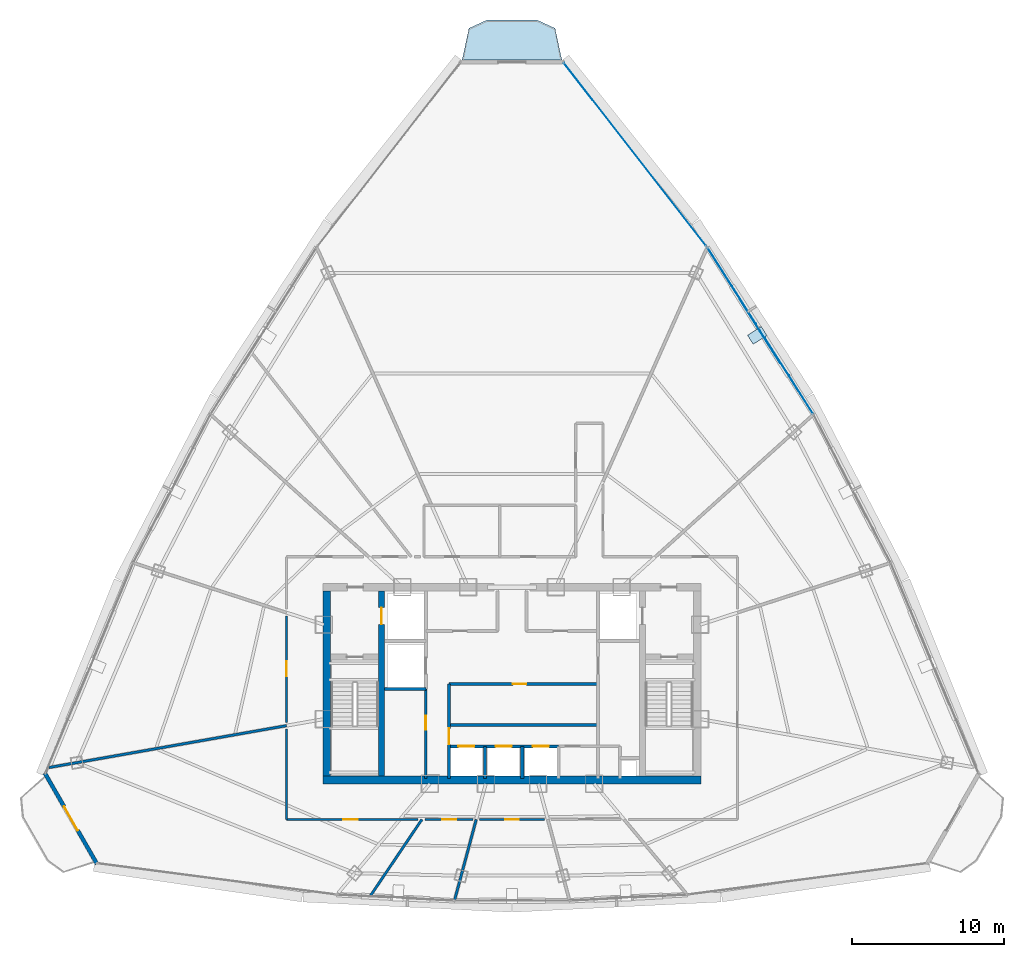
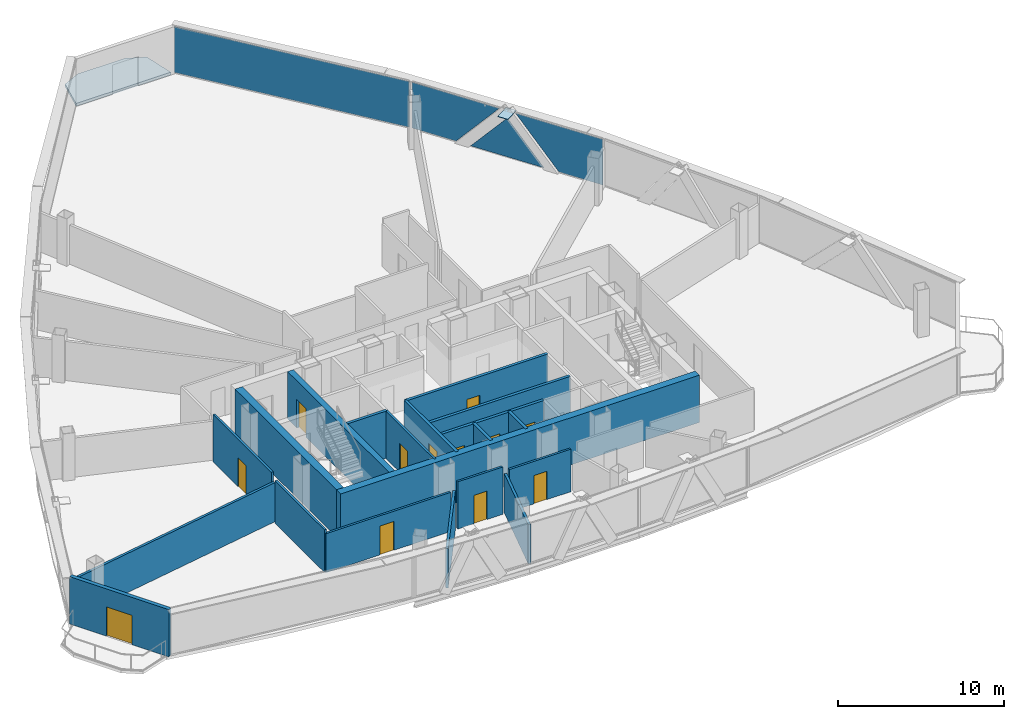
# One storey, part 28 of 33: 20 walls, 12 doors, 5 plates, 1 slab, 12 openings, 2 elements without a shape of their own.
"""IFC4 building model written with IfcOpenShell, lengths in metres."""

from ifc_helpers import new_model, si_unit, direction, frame, frame_2d, origin, origin_with_axes, origin_2d, place, context, subcontext, project, spatial, polyline, rectangle, outline, extrude, source, transform, mapped, material, layer, layer_set, type_object, element, fill, aggregate, save


model = new_model("IFC4")

# Units and contexts
model_context = context("Model", 3, precision=1e-05, world=origin(), true_north=direction((0.0, 1.0)))
body_context = subcontext(model_context, "Body", "Model", "MODEL_VIEW")
ifc_project = project(units=[si_unit("LENGTHUNIT", "METRE"), si_unit("AREAUNIT", "SQUARE_METRE"), si_unit("VOLUMEUNIT", "CUBIC_METRE"), si_unit("PLANEANGLEUNIT", "RADIAN"), si_unit("MASSUNIT", "GRAM", prefix="KILO"), si_unit("THERMODYNAMICTEMPERATUREUNIT", "KELVIN"), si_unit("POWERUNIT", "WATT")], contexts=[model_context])

# Site, building, storey
site_placement = place(None, origin())
site = spatial("IfcSite", under=ifc_project, at=site_placement, CompositionType="ELEMENT")
building_placement = place(site_placement, origin())
building = spatial("IfcBuilding", under=site, at=building_placement, Name="Yunzhuo Pagoda Commons", CompositionType="ELEMENT")
storey_placement = place(building_placement, frame((0.0, 0.0, 307.39990234375)))
storey = spatial("IfcBuildingStorey", under=building, at=storey_placement, Name="L77", CompositionType="ELEMENT", Elevation=307.39990234375)

# Curtain wall, plates
ifc_material_1 = material(Name="Anodized aluminium 6063-T6", Category="aluminium")
ifc_layer_1 = layer(ifc_material_1, 0.139892578125)
ifc_layer_set_1 = layer_set([ifc_layer_1], Name="Anodized aluminium 6063-T6")
curtain_wall_type = type_object("IfcCurtainWallType", Name="CW-HI High-Zone Ribbon Curtain Wall", PredefinedType="NOTDEFINED", material=ifc_layer_set_1)
curtain_wall_1_placement = place(storey_placement, origin())
curtain_wall_1 = element("IfcCurtainWall", 1, at=curtain_wall_1_placement, inside=storey, type_object=curtain_wall_type, Name="L77 curtain wall CW-L77-F2B4", PredefinedType="NOTDEFINED")
ifc_material_2 = material(Name="Tempered low-e double glazing", Category="glass")
ifc_layer_2 = layer(ifc_material_2, 0.02587890625)
ifc_layer_set_2 = layer_set([ifc_layer_2], Name="Tempered low-e double glazing")
plate_type_1 = type_object("IfcPlateType", Name="CW-HI-P Low-E Double Glazing 26", PredefinedType="CURTAIN_PANEL", material=ifc_layer_set_2)
plate_1_placement = place(storey_placement, frame((66.233642578125, 54.121826171875, 1.735107421875), z_axis=(0.843909804597, 0.536485080599, 0.0), x_axis=(-0.536485080599, 0.843909804597, 0.0)))
plate_1 = element("IfcPlate", 2, at=plate_1_placement, type_object=plate_type_1, Name="CW panel 1.1 lite 1", PredefinedType="CURTAIN_PANEL", context=body_context, shape_type="SweptSolid", body=[
    extrude(outline(polyline([(-2.955078125, -1.679931640625), (0.01708984375, -1.679931640625), (2.954833984375, 1.679931640625), (-2.955078125, 1.679931640625), (-2.955078125, -1.679931640625)])), origin(), (0.0, 0.0, 1.0), 0.028076171875),
])
plate_2_placement = place(storey_placement, frame((64.326416015625, 57.06591796875, 1.473876953125), z_axis=(0.843909804597, 0.536485080599, 0.0), x_axis=(-0.536485080599, 0.843909804597, 0.0)))
plate_2 = element("IfcPlate", 3, at=plate_2_placement, type_object=plate_type_1, Name="CW panel 1.1 lite 2", PredefinedType="CURTAIN_PANEL", context=body_context, shape_type="SweptSolid", body=[
    extrude(outline(polyline([(-2.481201171875, -1.4189453125), (2.481201171875, -1.4189453125), (0.0, 1.4189453125), (-2.481201171875, -1.4189453125)])), origin(), (0.0, 0.0, 1.0), 0.028076171875),
])
plate_3_placement = place(storey_placement, frame((62.469970703125, 60.042236328125, 1.735107421875), z_axis=(0.843909804597, 0.536485080599, 0.0), x_axis=(-0.536485080599, 0.843909804597, 0.0)))
plate_3 = element("IfcPlate", 4, at=plate_3_placement, type_object=plate_type_1, Name="CW panel 1.1 lite 3", PredefinedType="CURTAIN_PANEL", context=body_context, shape_type="SweptSolid", body=[
    extrude(outline(polyline([(-2.954833984375, 1.679931640625), (-0.01708984375, -1.679931640625), (2.954833984375, -1.679931640625), (2.954833984375, 1.679931640625), (-2.954833984375, 1.679931640625)])), origin(), (0.0, 0.0, 1.0), 0.028076171875),
])
aggregate(curtain_wall_1, [plate_1, plate_2, plate_3])

# Slab
ifc_material_3 = material(Name="Concrete C40", Category="concrete")
ifc_layer_3 = layer(ifc_material_3, 0.199951171875)
ifc_layer_set_3 = layer_set([ifc_layer_3], Name="Concrete C40")
slab_type = type_object("IfcSlabType", Name="SL-BAL Vertex Balcony Deck Slab 200", PredefinedType="FLOOR", material=ifc_layer_set_3)
slab_placement = place(storey_placement, frame((0.0, 0.0, -0.199951171875)))
element("IfcSlab", 5, at=slab_placement, inside=storey, type_object=slab_type, Name="L77 corner balcony V3", PredefinedType="FLOOR", context=body_context, shape_type="SweptSolid", body=[
    extrude(outline(polyline([(51.287841796875, 74.923095703125), (44.712158203125, 74.923095703125), (45.162109375, 77.01806640625), (46.356201171875, 77.568115234375), (49.643798828125, 77.568115234375), (50.837890625, 77.01806640625), (51.287841796875, 74.923095703125)])), origin(), (0.0, 0.0, 1.0), 0.199951171875),
])

# Plate
ifc_material_4 = material(Name="Structural steel Q355B", Category="steel")
ifc_layer_4 = layer(ifc_material_4, 0.028076171875)
ifc_layer_set_4 = layer_set([ifc_layer_4], Name="Structural steel Q355B")
plate_type_2 = type_object("IfcPlateType", Name="SP-ND1 Lattice Node Cap Plate 800x500x28", PredefinedType="USERDEFINED", material=ifc_layer_set_4)
shared_shape_1 = source(origin(), body_context, "Body", "SweptSolid", [
    extrude(rectangle(XDim=0.699951171875, YDim=1.073974609375, at=origin_2d()), origin(), (0.0, 0.0, 1.0), 0.035888671875),
])
plate_4_placement = place(storey_placement, frame((64.15576171875, 56.79345703125, 3.43212890625), z_axis=(0.0, 0.0, 1.0), x_axis=(-0.53648976325, 0.843906827753, 0.0)))
element("IfcPlate", 6, at=plate_4_placement, inside=storey, type_object=plate_type_2, Name="L77 setback lattice tie plate F2.3L", ObjectType="STIFFENER_PLATE", PredefinedType="USERDEFINED", context=body_context, shape_type="MappedRepresentation", body=[
    mapped(shared_shape_1, transform((0.0, 0.0, 0.0), scale=1.0)),
])

# Curtain wall, plate
curtain_wall_2_placement = place(storey_placement, origin())
curtain_wall_2 = element("IfcCurtainWall", 7, at=curtain_wall_2_placement, inside=storey, type_object=curtain_wall_type, Name="L77 curtain wall CW-L77-F2B5", PredefinedType="NOTDEFINED")
shared_shape_2 = source(origin(), body_context, "Body", "SweptSolid", [
    extrude(rectangle(XDim=15.251708984375, YDim=0.028076171875, at=origin_2d()), origin(), (0.0, 0.0, 1.0), 3.360107421875),
])
plate_5_placement = place(storey_placement, frame((56.1005859375, 68.720703125, 0.05517578125), z_axis=(0.0, 0.0, 1.0), x_axis=(-0.613840173517, 0.78943032712, 0.0)))
plate_5 = element("IfcPlate", 8, at=plate_5_placement, type_object=plate_type_1, Name="CW panel 1.1", PredefinedType="CURTAIN_PANEL", context=body_context, shape_type="MappedRepresentation", body=[
    mapped(shared_shape_2, transform((0.0, 0.0, 0.0), scale=1.0)),
])
aggregate(curtain_wall_2, [plate_5])

# Wall, opening, door
ifc_material_5 = material(Name="Precast concrete C40", Category="concrete")
ifc_layer_5 = layer(ifc_material_5, 0.260009765625)
ifc_layer_set_5 = layer_set([ifc_layer_5], Name="Precast concrete C40")
wall_type_1 = type_object("IfcWallType", Name="W-BAL1 Corner Balcony Threshold Wall 260", PredefinedType="STANDARD", material=ifc_layer_set_5)
wall_1_placement = place(storey_placement, frame((17.223388671875, 27.95654296875, 0.0), z_axis=(0.0, 0.0, 1.0), x_axis=(0.49793943781, -0.867211805889, 0.0)))
wall_1 = element("IfcWall", 9, at=wall_1_placement, inside=storey, type_object=wall_type_1, Name="L77 corner balcony wall V1", PredefinedType="STANDARD", context=body_context, shape_type="SweptSolid", body=[
    extrude(rectangle(XDim=6.903076171875, YDim=0.260009765625, at=frame_2d((3.45166015625, 0.0))), origin(), (0.0, 0.0, 1.0), 3.47021484375),
])
opening_1_placement = place(wall_1_placement, frame((2.551513671875, 0.0, 0.0)))
opening_1 = element("IfcOpeningElement", 10, at=opening_1_placement, cuts=wall_1, Name="Opening D-BAL1", PredefinedType="OPENING", context=body_context, shape_type="SweptSolid", body=[
    extrude(rectangle(XDim=1.800048828125, YDim=2.14990234375, at=frame_2d((0.89990234375, 1.074951171875))), frame((0.0, 0.14013671875, 0.0), z_axis=(0.0, -1.0, 0.0), x_axis=(1.0, 0.0, 0.0)), (0.0, 0.0, 1.0), 0.280029296875),
])
ifc_material_6 = material(Name="Anodized aluminium frame and tempered glazed leaf", Category="aluminium")
door_type_1 = type_object("IfcDoorType", Name="D-BAL1 Corner Balcony Sliding Glazed Door 1800x2150", OperationType="DOUBLE_DOOR_SLIDING", PredefinedType="DOOR", material=ifc_material_6)
shared_shape_3 = source(origin(), body_context, "Body", "SweptSolid", [
    extrude(rectangle(XDim=1.800048828125, YDim=2.14990234375, at=frame_2d((0.89990234375, 1.074951171875))), frame((0.0, 0.02490234375, 0.0), z_axis=(0.0, -1.0, 0.0), x_axis=(1.0, 0.0, 0.0)), (0.0, 0.0, 1.0), 0.050048828125),
])
door_1_placement = place(opening_1_placement, origin_with_axes())
door_1 = element("IfcDoor", 11, at=door_1_placement, inside=storey, type_object=door_type_1, Name="L77 corner balcony sliding door V1", OperationType="DOUBLE_DOOR_SLIDING", OverallHeight=2.14990234375, OverallWidth=1.800048828125, PredefinedType="DOOR", context=body_context, shape_type="MappedRepresentation", body=[
    mapped(shared_shape_3, transform((0.0, 0.0, 0.0), scale=1.0)),
])
fill(opening_1, door_1)

# Walls
ifc_material_7 = material(Name="Concrete C50", Category="concrete")
ifc_layer_6 = layer(ifc_material_7, 0.5)
ifc_layer_set_6 = layer_set([ifc_layer_6], Name="Concrete C50")
wall_type_2 = type_object("IfcWallType", Name="W-C03 Upper Core Shear Wall 500", PredefinedType="SHEAR", material=ifc_layer_set_6)
wall_2_placement = place(storey_placement, frame((35.550048828125, 27.5, 0.0), z_axis=(0.0, 0.0, 1.0), x_axis=(1.0, 0.0, 0.0)))
element("IfcWall", 12, at=wall_2_placement, inside=storey, type_object=wall_type_2, Name="L77 core shear wall S", PredefinedType="SHEAR", context=body_context, shape_type="SweptSolid", body=[
    extrude(rectangle(XDim=24.89990234375, YDim=0.5, at=frame_2d((12.449951171875, 0.0))), origin(), (0.0, 0.0, 1.0), 3.47021484375),
])
wall_3_placement = place(storey_placement, frame((35.800048828125, 27.75, 0.0), z_axis=(0.0, 0.0, 1.0), x_axis=(0.0, 1.0, 0.0)))
element("IfcWall", 13, at=wall_3_placement, inside=storey, type_object=wall_type_2, Name="L77 core shear wall W", PredefinedType="SHEAR", context=body_context, shape_type="SweptSolid", body=[
    extrude(rectangle(XDim=12.199951171875, YDim=0.5, at=frame_2d((6.10009765625, 0.0))), origin(), (0.0, 0.0, 1.0), 3.47021484375),
])

# Wall, opening, door
ifc_material_8 = material(Name="Gypsum plasterboard on acoustic stud")
ifc_layer_7 = layer(ifc_material_8, 0.14990234375)
ifc_layer_set_7 = layer_set([ifc_layer_7], Name="Gypsum plasterboard on acoustic stud")
wall_type_3 = type_object("IfcWallType", Name="W-COR3 High-Zone Rated Corridor Wall 150", PredefinedType="PARTITIONING", material=ifc_layer_set_7)
wall_4_placement = place(storey_placement, frame((42.320068359375, 27.60009765625, 0.0), z_axis=(0.0, 0.0, 1.0), x_axis=(0.0, 1.0, 0.0)))
wall_4 = element("IfcWall", 14, at=wall_4_placement, inside=storey, type_object=wall_type_3, Name="L77 interior wall IW-L77-CSWE", PredefinedType="PARTITIONING", context=body_context, shape_type="SweptSolid", body=[
    extrude(rectangle(XDim=5.89990234375, YDim=0.14990234375, at=frame_2d((2.949951171875, 0.0))), origin(), (0.0, 0.0, 1.0), 3.47021484375),
])
opening_2_placement = place(wall_4_placement, frame((3.199951171875, 0.0, 0.0)))
opening_2 = element("IfcOpeningElement", 15, at=opening_2_placement, cuts=wall_4, Name="Opening D-11", PredefinedType="OPENING", context=body_context, shape_type="SweptSolid", body=[
    extrude(rectangle(XDim=0.93994140625, YDim=2.10009765625, at=frame_2d((0.469970703125, 1.050048828125))), frame((0.0, 0.0849609375, 0.0), z_axis=(0.0, -1.0, 0.0), x_axis=(1.0, 0.0, 0.0)), (0.0, 0.0, 1.0), 0.169921875),
])
ifc_material_9 = material(Name="Galvanized fire-resisting metal leaf")
door_type_2 = type_object("IfcDoorType", Name="D-11 Accessible Washroom Fire Door 940x2100", OperationType="NOTDEFINED", PredefinedType="DOOR", material=ifc_material_9)
shared_shape_4 = source(origin(), body_context, "Body", "SweptSolid", [
    extrude(rectangle(XDim=0.93994140625, YDim=2.10009765625, at=frame_2d((0.469970703125, 1.050048828125))), frame((0.0, 0.02490234375, 0.0), z_axis=(0.0, -1.0, 0.0), x_axis=(1.0, 0.0, 0.0)), (0.0, 0.0, 1.0), 0.050048828125),
])
door_2_placement = place(opening_2_placement, origin_with_axes())
door_2 = element("IfcDoor", 16, at=door_2_placement, inside=storey, type_object=door_type_2, Name="L77 core WC door", OperationType="SINGLE_SWING_LEFT", OverallHeight=2.10009765625, OverallWidth=0.93994140625, PredefinedType="DOOR", context=body_context, shape_type="MappedRepresentation", body=[
    mapped(shared_shape_4, transform((0.0, 0.0, 0.0), scale=1.0)),
])
fill(opening_2, door_2)

# Wall
wall_5_placement = place(storey_placement, frame((33.14990234375, 24.89990234375, 0.0), z_axis=(0.0, 0.0, 1.0), x_axis=(0.0, 1.0, 0.0)))
element("IfcWall", 17, at=wall_5_placement, inside=storey, type_object=wall_type_3, Name="L77 interior wall IW-L77-CWL01", PredefinedType="PARTITIONING", context=body_context, shape_type="SweptSolid", body=[
    extrude(rectangle(XDim=5.958251953125, YDim=0.14990234375, at=frame_2d((2.97900390625, 0.0))), origin(), (0.0, 0.0, 1.0), 3.1201171875),
])

# Wall, opening, door
wall_6_placement = place(storey_placement, frame((33.14990234375, 31.30126953125, 0.0), z_axis=(0.0, 0.0, 1.0), x_axis=(0.0, 1.0, 0.0)))
wall_6 = element("IfcWall", 18, at=wall_6_placement, inside=storey, type_object=wall_type_3, Name="L77 interior wall IW-L77-CWL02", PredefinedType="PARTITIONING", context=body_context, shape_type="SweptSolid", body=[
    extrude(rectangle(XDim=7.004150390625, YDim=0.14990234375, at=frame_2d((3.501953125, 0.0))), origin(), (0.0, 0.0, 1.0), 3.47021484375),
])
opening_3_placement = place(wall_6_placement, frame((3.027099609375, 0.0, 0.0)))
opening_3 = element("IfcOpeningElement", 19, at=opening_3_placement, cuts=wall_6, Name="Opening D-08", PredefinedType="OPENING", context=body_context, shape_type="SweptSolid", body=[
    extrude(rectangle(XDim=0.97998046875, YDim=2.1201171875, at=frame_2d((0.489990234375, 1.06005859375))), frame((0.0, 0.0849609375, 0.0), z_axis=(0.0, -1.0, 0.0), x_axis=(1.0, 0.0, 0.0)), (0.0, 0.0, 1.0), 0.169921875),
])
door_type_3 = type_object("IfcDoorType", Name="D-08 High-Zone Suite Entrance Fire Door 980x2120", OperationType="NOTDEFINED", PredefinedType="DOOR", material=ifc_material_9)
shared_shape_5 = source(origin(), body_context, "Body", "SweptSolid", [
    extrude(rectangle(XDim=0.97998046875, YDim=2.1201171875, at=frame_2d((0.489990234375, 1.06005859375))), frame((0.0, 0.02490234375, 0.0), z_axis=(0.0, -1.0, 0.0), x_axis=(1.0, 0.0, 0.0)), (0.0, 0.0, 1.0), 0.050048828125),
])
door_3_placement = place(opening_3_placement, origin_with_axes())
door_3 = element("IfcDoor", 20, at=door_3_placement, inside=storey, type_object=door_type_3, Name="L77 unit 07 entrance door", OperationType="SINGLE_SWING_LEFT", OverallHeight=2.1201171875, OverallWidth=0.97998046875, PredefinedType="DOOR", context=body_context, shape_type="MappedRepresentation", body=[
    mapped(shared_shape_5, transform((0.0, 0.0, 0.0), scale=1.0)),
])
fill(opening_3, door_3)

wall_7_placement = place(storey_placement, frame((50.13818359375, 24.89990234375, 0.0), z_axis=(0.0, 0.0, 1.0), x_axis=(-1.0, 0.0, 0.0)))
wall_7 = element("IfcWall", 21, at=wall_7_placement, inside=storey, type_object=wall_type_3, Name="L77 interior wall IW-L77-CWL17", PredefinedType="PARTITIONING", context=body_context, shape_type="SweptSolid", body=[
    extrude(rectangle(XDim=4.2763671875, YDim=0.14990234375, at=frame_2d((2.13818359375, 0.0))), origin(), (0.0, 0.0, 1.0), 3.1201171875),
])
opening_4_placement = place(wall_7_placement, frame((1.67822265625, 0.0, 0.0)))
opening_4 = element("IfcOpeningElement", 22, at=opening_4_placement, cuts=wall_7, Name="Opening D-12", PredefinedType="OPENING", context=body_context, shape_type="SweptSolid", body=[
    extrude(rectangle(XDim=0.89990234375, YDim=2.080078125, at=frame_2d((0.449951171875, 1.0400390625))), frame((0.0, 0.0849609375, 0.0), z_axis=(0.0, -1.0, 0.0), x_axis=(1.0, 0.0, 0.0)), (0.0, 0.0, 1.0), 0.169921875),
])
ifc_material_10 = material(Name="Powder-coated aluminium and timber acoustic leaf", Category="wood")
door_type_4 = type_object("IfcDoorType", Name="D-12 Quiet Study Interior Door 900x2080", OperationType="NOTDEFINED", PredefinedType="DOOR", material=ifc_material_10)
shared_shape_6 = source(origin(), body_context, "Body", "SweptSolid", [
    extrude(rectangle(XDim=0.89990234375, YDim=2.080078125, at=frame_2d((0.449951171875, 1.0400390625))), frame((0.0, 0.02490234375, 0.0), z_axis=(0.0, -1.0, 0.0), x_axis=(1.0, 0.0, 0.0)), (0.0, 0.0, 1.0), 0.050048828125),
])
door_4_placement = place(opening_4_placement, origin_with_axes())
door_4 = element("IfcDoor", 23, at=door_4_placement, inside=storey, type_object=door_type_4, Name="L77 study lounge 10 door", OperationType="SINGLE_SWING_RIGHT", OverallHeight=2.080078125, OverallWidth=0.89990234375, PredefinedType="DOOR", context=body_context, shape_type="MappedRepresentation", body=[
    mapped(shared_shape_6, transform((0.0, 0.0, 0.0), scale=1.0)),
])
fill(opening_4, door_4)

wall_8_placement = place(storey_placement, frame((45.414306640625, 24.89990234375, 0.0), z_axis=(0.0, 0.0, 1.0), x_axis=(-1.0, 0.0, 0.0)))
wall_8 = element("IfcWall", 24, at=wall_8_placement, inside=storey, type_object=wall_type_3, Name="L77 interior wall IW-L77-CWL18", PredefinedType="PARTITIONING", context=body_context, shape_type="SweptSolid", body=[
    extrude(rectangle(XDim=3.130126953125, YDim=0.14990234375, at=frame_2d((1.56494140625, 0.0))), origin(), (0.0, 0.0, 1.0), 3.47021484375),
])
opening_5_placement = place(wall_8_placement, frame((1.10107421875, 0.0, 0.0)))
opening_5 = element("IfcOpeningElement", 25, at=opening_5_placement, cuts=wall_8, Name="Opening D-12", PredefinedType="OPENING", context=body_context, shape_type="SweptSolid", body=[
    extrude(rectangle(XDim=0.89990234375, YDim=2.080078125, at=frame_2d((0.449951171875, 1.0400390625))), frame((0.0, 0.0849609375, 0.0), z_axis=(0.0, -1.0, 0.0), x_axis=(1.0, 0.0, 0.0)), (0.0, 0.0, 1.0), 0.169921875),
])
door_5_placement = place(opening_5_placement, origin_with_axes())
door_5 = element("IfcDoor", 26, at=door_5_placement, inside=storey, type_object=door_type_4, Name="L77 study lounge 09 door", OperationType="SINGLE_SWING_LEFT", OverallHeight=2.080078125, OverallWidth=0.89990234375, PredefinedType="DOOR", context=body_context, shape_type="MappedRepresentation", body=[
    mapped(shared_shape_6, transform((0.0, 0.0, 0.0), scale=1.0)),
])
fill(opening_5, door_5)

wall_9_placement = place(storey_placement, frame((41.798828125, 24.89990234375, 0.0), z_axis=(0.0, 0.0, 1.0), x_axis=(-1.0, 0.0, 0.0)))
wall_9 = element("IfcWall", 27, at=wall_9_placement, inside=storey, type_object=wall_type_3, Name="L77 interior wall IW-L77-CWL19", PredefinedType="PARTITIONING", context=body_context, shape_type="SweptSolid", body=[
    extrude(rectangle(XDim=8.64892578125, YDim=0.14990234375, at=frame_2d((4.324462890625, 0.0))), origin(), (0.0, 0.0, 1.0), 2.8701171875),
])
opening_6_placement = place(wall_9_placement, frame((3.94677734375, 0.0, 0.0)))
opening_6 = element("IfcOpeningElement", 28, at=opening_6_placement, cuts=wall_9, Name="Opening D-08", PredefinedType="OPENING", context=body_context, shape_type="SweptSolid", body=[
    extrude(rectangle(XDim=0.97998046875, YDim=2.1201171875, at=frame_2d((0.489990234375, 1.06005859375))), frame((0.0, 0.0849609375, 0.0), z_axis=(0.0, -1.0, 0.0), x_axis=(1.0, 0.0, 0.0)), (0.0, 0.0, 1.0), 0.169921875),
])
door_6_placement = place(opening_6_placement, origin_with_axes())
door_6 = element("IfcDoor", 29, at=door_6_placement, inside=storey, type_object=door_type_3, Name="L77 Shared Resident Kitchen and Pantry door", OperationType="SINGLE_SWING_RIGHT", OverallHeight=2.1201171875, OverallWidth=0.97998046875, PredefinedType="DOOR", context=body_context, shape_type="MappedRepresentation", body=[
    mapped(shared_shape_5, transform((0.0, 0.0, 0.0), scale=1.0)),
])
fill(opening_6, door_6)

# Walls
ifc_layer_8 = layer(ifc_material_8, 0.169921875)
ifc_layer_set_8 = layer_set([ifc_layer_8], Name="Gypsum plasterboard on acoustic stud")
wall_type_4 = type_object("IfcWallType", Name="W-PRT4 High-Zone Demising Wall 170", PredefinedType="PARTITIONING", material=ifc_layer_set_8)
wall_10_placement = place(storey_placement, frame((33.14990234375, 31.08154296875, 0.0), z_axis=(0.0, 0.0, 1.0), x_axis=(-0.984807655248, -0.173648732116, 0.0)))
element("IfcWall", 30, at=wall_10_placement, inside=storey, type_object=wall_type_4, Name="L77 interior wall IW-L77-RAD08", PredefinedType="PARTITIONING", context=body_context, shape_type="SweptSolid", body=[
    extrude(rectangle(XDim=15.905517578125, YDim=0.169921875, at=frame_2d((7.95263671875, 0.0))), origin(), (0.0, 0.0, 1.0), 2.8701171875),
])
wall_11_placement = place(storey_placement, frame((42.064208984375, 24.89990234375, 0.0), z_axis=(0.0, 0.0, 1.0), x_axis=(-0.559190191843, -0.829039401564, 0.0)))
element("IfcWall", 31, at=wall_11_placement, inside=storey, type_object=wall_type_4, Name="L77 interior wall IW-L77-RAD09", PredefinedType="PARTITIONING", context=body_context, shape_type="SweptSolid", body=[
    extrude(rectangle(XDim=6.1123046875, YDim=0.169921875, at=frame_2d((3.05615234375, 0.0))), origin(), (0.0, 0.0, 1.0), 2.8701171875),
])
wall_12_placement = place(storey_placement, frame((45.64208984375, 24.89990234375, 0.0), z_axis=(0.0, 0.0, 1.0), x_axis=(-0.258813875707, -0.96592721141, 0.0)))
element("IfcWall", 32, at=wall_12_placement, inside=storey, type_object=wall_type_4, Name="L77 interior wall IW-L77-RAD10", PredefinedType="PARTITIONING", context=body_context, shape_type="SweptSolid", body=[
    extrude(rectangle(XDim=5.54296875, YDim=0.169921875, at=frame_2d((2.771484375, 0.0))), origin(), (0.0, 0.0, 1.0), 2.8701171875),
])

# Wall, opening, door
ifc_material_11 = material(Name="Concrete C60", Category="concrete")
ifc_layer_9 = layer(ifc_material_11, 0.39990234375)
ifc_layer_set_9 = layer_set([ifc_layer_9], Name="Concrete C60")
wall_type_5 = type_object("IfcWallType", Name="W-S01 Internal Core Shear Web 400", PredefinedType="SHEAR", material=ifc_layer_set_9)
wall_13_placement = place(storey_placement, frame((39.39990234375, 27.75, 0.0), z_axis=(0.0, 0.0, 1.0), x_axis=(0.0, 1.0, 0.0)))
wall_13 = element("IfcWall", 33, at=wall_13_placement, inside=storey, type_object=wall_type_5, Name="L77 core shear wall WEBW", PredefinedType="SHEAR", context=body_context, shape_type="SweptSolid", body=[
    extrude(rectangle(XDim=12.199951171875, YDim=0.39990234375, at=frame_2d((6.10009765625, 0.0))), origin(), (0.0, 0.0, 1.0), 3.47021484375),
])
opening_7_placement = place(wall_13_placement, frame((10.0, 0.0, 0.0)))
opening_7 = element("IfcOpeningElement", 34, at=opening_7_placement, cuts=wall_13, Name="Opening LD-01", PredefinedType="OPENING", context=body_context, shape_type="SweptSolid", body=[
    extrude(rectangle(XDim=1.10009765625, YDim=2.10009765625, at=frame_2d((0.550048828125, 1.050048828125))), frame((0.0, 0.2099609375, 0.0), z_axis=(0.0, -1.0, 0.0), x_axis=(1.0, 0.0, 0.0)), (0.0, 0.0, 1.0), 0.419921875),
])
door_type_5 = type_object("IfcDoorType", Name="LD-01 Firefighting Lift Landing Door 1100x2100", OperationType="DOUBLE_DOOR_SLIDING", PredefinedType="DOOR", material=ifc_material_9)
shared_shape_7 = source(origin(), body_context, "Body", "SweptSolid", [
    extrude(rectangle(XDim=1.10009765625, YDim=2.10009765625, at=frame_2d((0.550048828125, 1.050048828125))), frame((0.0, 0.02490234375, 0.0), z_axis=(0.0, -1.0, 0.0), x_axis=(1.0, 0.0, 0.0)), (0.0, 0.0, 1.0), 0.050048828125),
])
door_7_placement = place(opening_7_placement, frame((1.10009765625, 0.0, 0.0), z_axis=(0.0, 0.0, 1.0), x_axis=(-1.0, 0.0, 0.0)))
door_7 = element("IfcDoor", 35, at=door_7_placement, inside=storey, type_object=door_type_5, Name="L77 Firefighting lift FL-1 landing door", OperationType="DOUBLE_DOOR_SLIDING", OverallHeight=2.10009765625, OverallWidth=1.10009765625, PredefinedType="DOOR", context=body_context, shape_type="MappedRepresentation", body=[
    mapped(shared_shape_7, transform((0.0, 0.0, 0.0), scale=1.0)),
])
fill(opening_7, door_7)

# Wall
ifc_layer_10 = layer(ifc_material_3, 0.199951171875)
ifc_layer_set_10 = layer_set([ifc_layer_10], Name="Concrete C40")
wall_type_6 = type_object("IfcWallType", Name="W-SHF Shaft & Stair Enclosure Wall 200", PredefinedType="SOLIDWALL", material=ifc_layer_set_10)
wall_14_placement = place(storey_placement, frame((39.60009765625, 33.5, 0.0), z_axis=(0.0, 0.0, 1.0), x_axis=(1.0, 0.0, 0.0)))
element("IfcWall", 36, at=wall_14_placement, inside=storey, type_object=wall_type_6, Name="L77 interior wall IW-L77-SL1S", PredefinedType="SOLIDWALL", context=body_context, shape_type="SweptSolid", body=[
    extrude(rectangle(XDim=2.719970703125, YDim=0.199951171875, at=frame_2d((1.35986328125, 0.0))), origin(), (0.0, 0.0, 1.0), 3.47021484375),
])

# Wall, opening, door
wall_15_placement = place(storey_placement, frame((43.85009765625, 33.820068359375, 0.0), z_axis=(0.0, 0.0, 1.0), x_axis=(1.0, 0.0, 0.0)))
wall_15 = element("IfcWall", 37, at=wall_15_placement, inside=storey, type_object=wall_type_6, Name="L77 interior wall IW-L77-MLBS", PredefinedType="SOLIDWALL", context=body_context, shape_type="SweptSolid", body=[
    extrude(rectangle(XDim=9.829833984375, YDim=0.199951171875, at=frame_2d((4.9150390625, 0.0))), origin(), (0.0, 0.0, 1.0), 3.47021484375),
])
opening_8_placement = place(wall_15_placement, frame((4.199951171875, 0.0, 0.0)))
opening_8 = element("IfcOpeningElement", 38, at=opening_8_placement, cuts=wall_15, Name="Opening D-03", PredefinedType="OPENING", context=body_context, shape_type="SweptSolid", body=[
    extrude(rectangle(XDim=0.89990234375, YDim=2.10009765625, at=frame_2d((0.449951171875, 1.050048828125))), frame((0.0, 0.10986328125, 0.0), z_axis=(0.0, -1.0, 0.0), x_axis=(1.0, 0.0, 0.0)), (0.0, 0.0, 1.0), 0.219970703125),
])
door_type_6 = type_object("IfcDoorType", Name="D-03 Core Service Fire Door 900x2100", OperationType="NOTDEFINED", PredefinedType="DOOR", material=ifc_material_9)
shared_shape_8 = source(origin(), body_context, "Body", "SweptSolid", [
    extrude(rectangle(XDim=0.89990234375, YDim=2.10009765625, at=frame_2d((0.449951171875, 1.050048828125))), frame((0.0, 0.02490234375, 0.0), z_axis=(0.0, -1.0, 0.0), x_axis=(1.0, 0.0, 0.0)), (0.0, 0.0, 1.0), 0.050048828125),
])
door_8_placement = place(opening_8_placement, origin_with_axes())
door_8 = element("IfcDoor", 39, at=door_8_placement, inside=storey, type_object=door_type_6, Name="L77 core archive store door", OperationType="SINGLE_SWING_LEFT", OverallHeight=2.10009765625, OverallWidth=0.89990234375, PredefinedType="DOOR", context=body_context, shape_type="MappedRepresentation", body=[
    mapped(shared_shape_8, transform((0.0, 0.0, 0.0), scale=1.0)),
])
fill(opening_8, door_8)

wall_16_placement = place(storey_placement, frame((43.85009765625, 27.60009765625, 0.0), z_axis=(0.0, 0.0, 1.0), x_axis=(0.0, 1.0, 0.0)))
wall_16 = element("IfcWall", 40, at=wall_16_placement, inside=storey, type_object=wall_type_6, Name="L77 interior wall IW-L77-PLMW", PredefinedType="SOLIDWALL", context=body_context, shape_type="SweptSolid", body=[
    extrude(rectangle(XDim=6.219970703125, YDim=0.199951171875, at=frame_2d((3.10986328125, 0.0))), origin(), (0.0, 0.0, 1.0), 3.47021484375),
])
opening_9_placement = place(wall_16_placement, frame((2.25, 0.0, 0.0)))
opening_9 = element("IfcOpeningElement", 41, at=opening_9_placement, cuts=wall_16, Name="Opening D-02", PredefinedType="OPENING", context=body_context, shape_type="SweptSolid", body=[
    extrude(rectangle(XDim=1.050048828125, YDim=2.10009765625, at=frame_2d((0.52490234375, 1.050048828125))), frame((0.0, 0.10986328125, 0.0), z_axis=(0.0, -1.0, 0.0), x_axis=(1.0, 0.0, 0.0)), (0.0, 0.0, 1.0), 0.219970703125),
])
door_type_7 = type_object("IfcDoorType", Name="D-02 Firefighting Lobby & Refuge Fire Door 1050x2100", OperationType="NOTDEFINED", PredefinedType="DOOR", material=ifc_material_9)
shared_shape_9 = source(origin(), body_context, "Body", "SweptSolid", [
    extrude(rectangle(XDim=1.050048828125, YDim=2.10009765625, at=frame_2d((0.52490234375, 1.050048828125))), frame((0.0, 0.02490234375, 0.0), z_axis=(0.0, -1.0, 0.0), x_axis=(1.0, 0.0, 0.0)), (0.0, 0.0, 1.0), 0.050048828125),
])
door_9_placement = place(opening_9_placement, frame((1.050048828125, 0.0, 0.0), z_axis=(0.0, 0.0, 1.0), x_axis=(-1.0, 0.0, 0.0)))
door_9 = element("IfcDoor", 42, at=door_9_placement, inside=storey, type_object=door_type_7, Name="L77 High-bank hall west door", OperationType="SINGLE_SWING_LEFT", OverallHeight=2.10009765625, OverallWidth=1.050048828125, PredefinedType="DOOR", context=body_context, shape_type="MappedRepresentation", body=[
    mapped(shared_shape_9, transform((0.0, 0.0, 0.0), scale=1.0)),
])
fill(opening_9, door_9)

# Wall, openings, doors
wall_17_placement = place(storey_placement, frame((43.85009765625, 29.719970703125, 0.0), z_axis=(0.0, 0.0, 1.0), x_axis=(1.0, 0.0, 0.0)))
wall_17 = element("IfcWall", 43, at=wall_17_placement, inside=storey, type_object=wall_type_6, Name="L77 interior wall IW-L77-PLHN", PredefinedType="SOLIDWALL", context=body_context, shape_type="SweptSolid", body=[
    extrude(rectangle(XDim=7.199951171875, YDim=0.199951171875, at=frame_2d((3.60009765625, 0.0))), origin(), (0.0, 0.0, 1.0), 3.47021484375),
])
opening_10_placement = place(wall_17_placement, frame((0.625, 0.0, 0.0)))
opening_10 = element("IfcOpeningElement", 44, at=opening_10_placement, cuts=wall_17, Name="Opening LD-02", PredefinedType="OPENING", context=body_context, shape_type="SweptSolid", body=[
    extrude(rectangle(XDim=1.050048828125, YDim=2.10009765625, at=frame_2d((0.52490234375, 1.050048828125))), frame((0.0, 0.10986328125, 0.0), z_axis=(0.0, -1.0, 0.0), x_axis=(1.0, 0.0, 0.0)), (0.0, 0.0, 1.0), 0.219970703125),
])
opening_11_placement = place(wall_17_placement, frame((3.074951171875, 0.0, 0.0)))
opening_11 = element("IfcOpeningElement", 45, at=opening_11_placement, cuts=wall_17, Name="Opening LD-02", PredefinedType="OPENING", context=body_context, shape_type="SweptSolid", body=[
    extrude(rectangle(XDim=1.050048828125, YDim=2.10009765625, at=frame_2d((0.52490234375, 1.050048828125))), frame((0.0, 0.10986328125, 0.0), z_axis=(0.0, -1.0, 0.0), x_axis=(1.0, 0.0, 0.0)), (0.0, 0.0, 1.0), 0.219970703125),
])
opening_12_placement = place(wall_17_placement, frame((5.52490234375, 0.0, 0.0)))
opening_12 = element("IfcOpeningElement", 46, at=opening_12_placement, cuts=wall_17, Name="Opening LD-02", PredefinedType="OPENING", context=body_context, shape_type="SweptSolid", body=[
    extrude(rectangle(XDim=1.050048828125, YDim=2.10009765625, at=frame_2d((0.52490234375, 1.050048828125))), frame((0.0, 0.10986328125, 0.0), z_axis=(0.0, -1.0, 0.0), x_axis=(1.0, 0.0, 0.0)), (0.0, 0.0, 1.0), 0.219970703125),
])
door_type_8 = type_object("IfcDoorType", Name="LD-02 Passenger Lift Landing Door 1050x2100", OperationType="DOUBLE_DOOR_SLIDING", PredefinedType="DOOR", material=ifc_material_9)
door_10_placement = place(opening_10_placement, origin_with_axes())
door_10 = element("IfcDoor", 47, at=door_10_placement, inside=storey, type_object=door_type_8, Name="L77 Passenger lift PL-H1 landing door", OperationType="DOUBLE_DOOR_SLIDING", OverallHeight=2.10009765625, OverallWidth=1.050048828125, PredefinedType="DOOR", context=body_context, shape_type="MappedRepresentation", body=[
    mapped(shared_shape_9, transform((0.0, 0.0, 0.0), scale=1.0)),
])
fill(opening_10, door_10)
door_11_placement = place(opening_11_placement, origin_with_axes())
door_11 = element("IfcDoor", 48, at=door_11_placement, inside=storey, type_object=door_type_8, Name="L77 Passenger lift PL-H2 landing door", OperationType="DOUBLE_DOOR_SLIDING", OverallHeight=2.10009765625, OverallWidth=1.050048828125, PredefinedType="DOOR", context=body_context, shape_type="MappedRepresentation", body=[
    mapped(shared_shape_9, transform((0.0, 0.0, 0.0), scale=1.0)),
])
fill(opening_11, door_11)
door_12_placement = place(opening_12_placement, origin_with_axes())
door_12 = element("IfcDoor", 49, at=door_12_placement, inside=storey, type_object=door_type_8, Name="L77 Passenger lift PL-H3 landing door", OperationType="DOUBLE_DOOR_SLIDING", OverallHeight=2.10009765625, OverallWidth=1.050048828125, PredefinedType="DOOR", context=body_context, shape_type="MappedRepresentation", body=[
    mapped(shared_shape_9, transform((0.0, 0.0, 0.0), scale=1.0)),
])
fill(opening_12, door_12)

# Walls
wall_18_placement = place(storey_placement, frame((43.85009765625, 31.1201171875, 0.0), z_axis=(0.0, 0.0, 1.0), x_axis=(1.0, 0.0, 0.0)))
element("IfcWall", 50, at=wall_18_placement, inside=storey, type_object=wall_type_6, Name="L77 interior wall IW-L77-PLMS2", PredefinedType="SOLIDWALL", context=body_context, shape_type="SweptSolid", body=[
    extrude(rectangle(XDim=9.829833984375, YDim=0.199951171875, at=frame_2d((4.9150390625, 0.0))), origin(), (0.0, 0.0, 1.0), 3.47021484375),
])
for number, where, z_axis, x_axis, name in (
    (51, (46.22509765625, 27.60009765625, 0.0), (0.0, 0.0, 1.0), (0.0, 1.0, 0.0), "L77 interior wall IW-L77-PLHD1"),
    (52, (48.675048828125, 27.60009765625, 0.0), (0.0, 0.0, 1.0), (0.0, 1.0, 0.0), "L77 interior wall IW-L77-PLHD2"),
):
    element("IfcWall", number, at=place(storey_placement, frame(where, z_axis=z_axis, x_axis=x_axis)), inside=storey, type_object=wall_type_6, Name=name, PredefinedType="SOLIDWALL", context=body_context, shape_type="SweptSolid", body=[
        extrude(rectangle(XDim=2.119873046875, YDim=0.199951171875, at=frame_2d((1.06005859375, 0.0))), origin(), (0.0, 0.0, 1.0), 3.47021484375),
    ])

save(model, "model.ifc")
